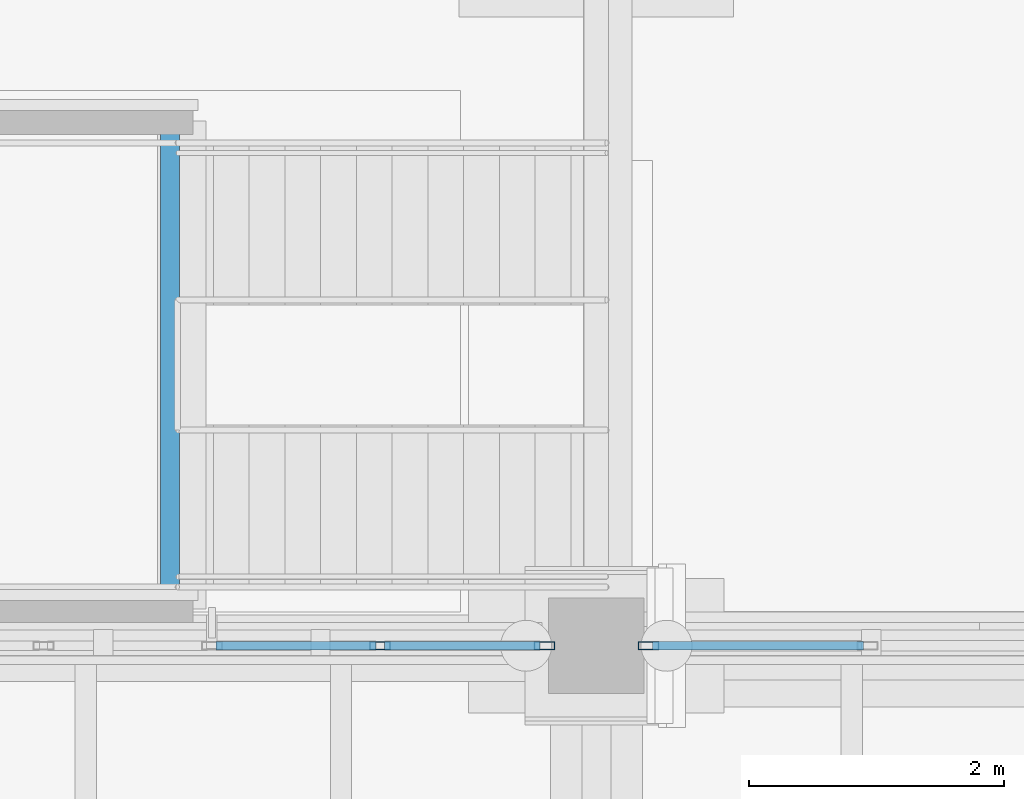
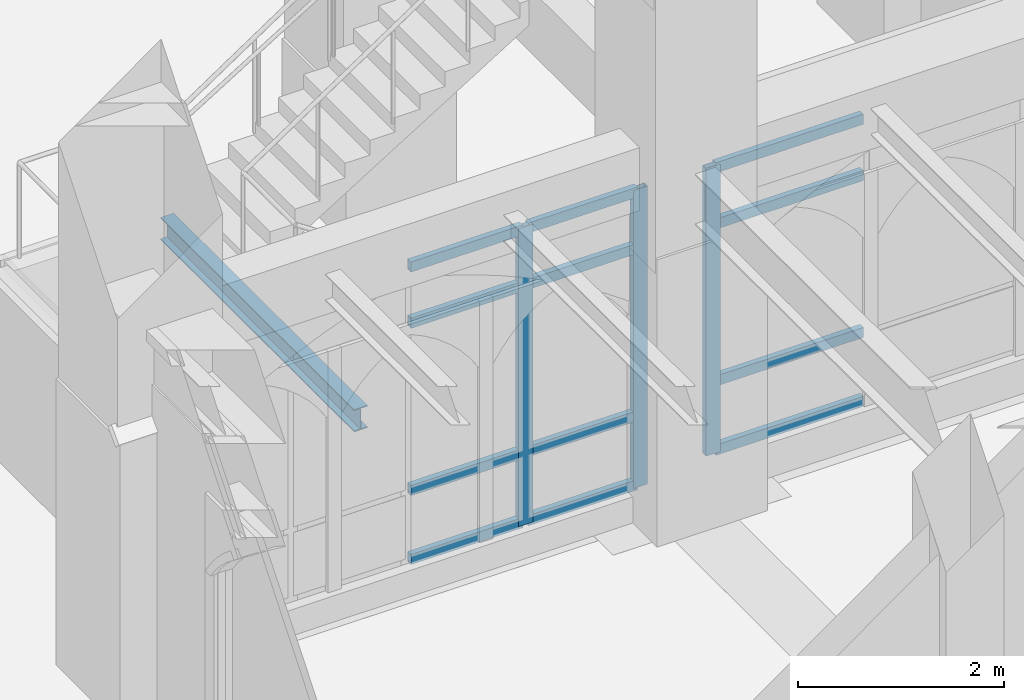
# One storey, part 42 of 135: 15 members, 1 beam, 2 elements without a shape of their own.
"""IFC4 building model written with IfcOpenShell, lengths in metres."""

from ifc_helpers import new_model, si_unit, direction, frame, origin, origin_2d, place, context, subcontext, project, spatial, hollow_rectangle, i_section, extrude, material, layer, layer_set, material_profile, profile_set, type_object, element, aggregate, save


model = new_model("IFC4")

# Units and contexts
model_context = context("Model", 3, precision=1e-05, world=origin(), true_north=direction((0.0, 1.0)))
body_context = subcontext(model_context, "Body", "Model", "MODEL_VIEW")
ifc_project = project(units=[si_unit("LENGTHUNIT", "METRE"), si_unit("AREAUNIT", "SQUARE_METRE"), si_unit("VOLUMEUNIT", "CUBIC_METRE"), si_unit("PLANEANGLEUNIT", "RADIAN"), si_unit("MASSUNIT", "GRAM", prefix="KILO")], contexts=[model_context])

# Site, building, storey
site_placement = place(None, origin())
site = spatial("IfcSite", under=ifc_project, at=site_placement, CompositionType="ELEMENT")
building_placement = place(site_placement, origin())
building = spatial("IfcBuilding", under=site, at=building_placement, Name="Cumevento Cable Car Station", CompositionType="ELEMENT")
storey_placement = place(building_placement, origin())
storey = spatial("IfcBuildingStorey", under=building, at=storey_placement, Name="L01", CompositionType="ELEMENT", Elevation=0.0)

# Curtain wall, members
ifc_material_1 = material(Name="Anodised Bronze Aluminium AW-6063-T6", Category="aluminium")
ifc_layer_1 = layer(ifc_material_1, 0.22607421875)
ifc_layer_set_1 = layer_set([ifc_layer_1], Name="Anodised Bronze Aluminium AW-6063-T6")
curtain_wall_type_1 = type_object("IfcCurtainWallType", Name="Lancet Curtain Wall CW-12 1490", PredefinedType="NOTDEFINED", material=ifc_layer_set_1)
curtain_wall_1_placement = place(storey_placement, origin())
curtain_wall_1 = element("IfcCurtainWall", 1, at=curtain_wall_1_placement, inside=storey, type_object=curtain_wall_type_1, Name="Lancet Curtain Wall CW-12 L01 #11", PredefinedType="NOTDEFINED")
ifc_material_2 = material(Name="Anodised Bronze Aluminium AW-6063-T6", Category="aluminium")
ifc_material_profile_1 = material_profile(ifc_material_2, hollow_rectangle(XDim=0.06494140625, YDim=0.159912109375, WallThickness=0.00390625, at=origin_2d()), Name="ALUM65x160x4")
ifc_profile_set_1 = profile_set([ifc_material_profile_1], Name="Anodised Bronze Aluminium AW-6063-T6")
member_type_1 = type_object("IfcMemberType", Name="Curtain Mullion CWM-01 ALUM65x160x4", PredefinedType="MULLION", material=ifc_profile_set_1)
member_1_placement = place(storey_placement, frame((110.30615234375, 15.0, 0.31005859375), z_axis=(0.0, 0.0, 1.0), x_axis=(0.0, 1.0, 0.0)))
member_1 = element("IfcMember", 2, at=member_1_placement, type_object=member_type_1, Name="CW-12 mullion 4", PredefinedType="MULLION", context=body_context, shape_type="SweptSolid", body=[
    extrude(hollow_rectangle(XDim=0.06494140625, YDim=0.159912109375, WallThickness=0.00390625, at=origin_2d()), origin(), (0.0, 0.0, 1.0), 3.532958984375),
])
member_2_placement = place(storey_placement, frame((111.592529296875, 15.0, 0.31005859375), z_axis=(0.0, 0.0, 1.0), x_axis=(0.0, 1.0, 0.0)))
member_2 = element("IfcMember", 3, at=member_2_placement, type_object=member_type_1, Name="CW-12 mullion 5", PredefinedType="MULLION", context=body_context, shape_type="SweptSolid", body=[
    extrude(hollow_rectangle(XDim=0.06494140625, YDim=0.159912109375, WallThickness=0.00390625, at=origin_2d()), origin(), (0.0, 0.0, 1.0), 3.532958984375),
])

# Curtain wall, member
ifc_material_3 = material(Name="Anodised Bronze Aluminium AW-6063-T6", Category="aluminium")
ifc_layer_2 = layer(ifc_material_3, 0.238037109375)
ifc_layer_set_2 = layer_set([ifc_layer_2], Name="Anodised Bronze Aluminium AW-6063-T6")
curtain_wall_type_2 = type_object("IfcCurtainWallType", Name="Lancet Curtain Wall CW-14 1570", PredefinedType="NOTDEFINED", material=ifc_layer_set_2)
curtain_wall_2_placement = place(storey_placement, origin())
curtain_wall_2 = element("IfcCurtainWall", 4, at=curtain_wall_2_placement, inside=storey, type_object=curtain_wall_type_2, Name="Lancet Curtain Wall CW-14 L01 #13", PredefinedType="NOTDEFINED")
member_3_placement = place(storey_placement, frame((112.407470703125, 15.0, 0.409912109375), z_axis=(0.0, 0.0, 1.0), x_axis=(0.0, 1.0, 0.0)))
member_3 = element("IfcMember", 5, at=member_3_placement, type_object=member_type_1, Name="CW-14 mullion 1", PredefinedType="MULLION", context=body_context, shape_type="SweptSolid", body=[
    extrude(hollow_rectangle(XDim=0.06494140625, YDim=0.159912109375, WallThickness=0.00390625, at=origin_2d()), origin(), (0.0, 0.0, 1.0), 3.4111328125),
])

# Member
ifc_material_4 = material(Name="Anodised Bronze Aluminium AW-6063-T6", Category="aluminium")
ifc_material_profile_2 = material_profile(ifc_material_4, hollow_rectangle(XDim=0.06494140625, YDim=0.1201171875, WallThickness=0.00390625, at=origin_2d()), Name="ALUT65x120x4")
ifc_profile_set_2 = profile_set([ifc_material_profile_2], Name="Anodised Bronze Aluminium AW-6063-T6")
member_type_2 = type_object("IfcMemberType", Name="Curtain Transom CWT-01 ALUT65x120x4", PredefinedType="USERDEFINED", material=ifc_profile_set_2)
member_4_placement = place(storey_placement, frame((109.02001953125, 15.0, 0.342529296875), z_axis=(1.0, 0.0, 0.0), x_axis=(0.0, 1.0, 0.0)))
member_4 = element("IfcMember", 6, at=member_4_placement, type_object=member_type_2, Name="CW-12 transom 3.1", ObjectType="TRANSOM", PredefinedType="USERDEFINED", context=body_context, shape_type="SweptSolid", body=[
    extrude(hollow_rectangle(XDim=0.06494140625, YDim=0.1201171875, WallThickness=0.00390625, at=origin_2d()), origin(), (0.0, 0.0, 1.0), 1.253662109375),
])

member_5_placement = place(storey_placement, frame((109.02001953125, 15.0, 1.159912109375), z_axis=(1.0, 0.0, 0.0), x_axis=(0.0, 1.0, 0.0)))
member_5 = element("IfcMember", 7, at=member_5_placement, type_object=member_type_2, Name="CW-12 transom 3.2", ObjectType="TRANSOM", PredefinedType="USERDEFINED", context=body_context, shape_type="SweptSolid", body=[
    extrude(hollow_rectangle(XDim=0.06494140625, YDim=0.1201171875, WallThickness=0.00390625, at=origin_2d()), origin(), (0.0, 0.0, 1.0), 1.253662109375),
])

member_6_placement = place(storey_placement, frame((109.02001953125, 15.0, 3.14306640625), z_axis=(1.0, 0.0, 0.0), x_axis=(0.0, 1.0, 0.0)))
member_6 = element("IfcMember", 8, at=member_6_placement, type_object=member_type_2, Name="CW-12 transom 3.3", ObjectType="TRANSOM", PredefinedType="USERDEFINED", context=body_context, shape_type="SweptSolid", body=[
    extrude(hollow_rectangle(XDim=0.06494140625, YDim=0.1201171875, WallThickness=0.00390625, at=origin_2d()), origin(), (0.0, 0.0, 1.0), 1.253662109375),
])

member_7_placement = place(storey_placement, frame((109.02001953125, 15.0, 3.810546875), z_axis=(1.0, 0.0, 0.0), x_axis=(0.0, 1.0, 0.0)))
member_7 = element("IfcMember", 9, at=member_7_placement, type_object=member_type_2, Name="CW-12 transom 3.4", ObjectType="TRANSOM", PredefinedType="USERDEFINED", context=body_context, shape_type="SweptSolid", body=[
    extrude(hollow_rectangle(XDim=0.06494140625, YDim=0.1201171875, WallThickness=0.00390625, at=origin_2d()), origin(), (0.0, 0.0, 1.0), 1.253662109375),
])

member_8_placement = place(storey_placement, frame((110.3388671875, 15.0, 0.342529296875), z_axis=(1.0, 0.0, 0.0), x_axis=(0.0, 1.0, 0.0)))
member_8 = element("IfcMember", 10, at=member_8_placement, type_object=member_type_2, Name="CW-12 transom 4.1", ObjectType="TRANSOM", PredefinedType="USERDEFINED", context=body_context, shape_type="SweptSolid", body=[
    extrude(hollow_rectangle(XDim=0.06494140625, YDim=0.1201171875, WallThickness=0.00390625, at=origin_2d()), origin(), (0.0, 0.0, 1.0), 1.22119140625),
])

member_9_placement = place(storey_placement, frame((110.3388671875, 15.0, 1.159912109375), z_axis=(1.0, 0.0, 0.0), x_axis=(0.0, 1.0, 0.0)))
member_9 = element("IfcMember", 11, at=member_9_placement, type_object=member_type_2, Name="CW-12 transom 4.2", ObjectType="TRANSOM", PredefinedType="USERDEFINED", context=body_context, shape_type="SweptSolid", body=[
    extrude(hollow_rectangle(XDim=0.06494140625, YDim=0.1201171875, WallThickness=0.00390625, at=origin_2d()), origin(), (0.0, 0.0, 1.0), 1.22119140625),
])

member_10_placement = place(storey_placement, frame((110.3388671875, 15.0, 3.14306640625), z_axis=(1.0, 0.0, 0.0), x_axis=(0.0, 1.0, 0.0)))
member_10 = element("IfcMember", 12, at=member_10_placement, type_object=member_type_2, Name="CW-12 transom 4.3", ObjectType="TRANSOM", PredefinedType="USERDEFINED", context=body_context, shape_type="SweptSolid", body=[
    extrude(hollow_rectangle(XDim=0.06494140625, YDim=0.1201171875, WallThickness=0.00390625, at=origin_2d()), origin(), (0.0, 0.0, 1.0), 1.22119140625),
])

member_11_placement = place(storey_placement, frame((110.3388671875, 15.0, 3.810546875), z_axis=(1.0, 0.0, 0.0), x_axis=(0.0, 1.0, 0.0)))
member_11 = element("IfcMember", 13, at=member_11_placement, type_object=member_type_2, Name="CW-12 transom 4.4", ObjectType="TRANSOM", PredefinedType="USERDEFINED", context=body_context, shape_type="SweptSolid", body=[
    extrude(hollow_rectangle(XDim=0.06494140625, YDim=0.1201171875, WallThickness=0.00390625, at=origin_2d()), origin(), (0.0, 0.0, 1.0), 1.22119140625),
])

aggregate(curtain_wall_1, [member_1, member_2, member_4, member_5, member_6, member_7, member_8, member_9, member_10, member_11])

member_12_placement = place(storey_placement, frame((112.43994140625, 15.0, 0.4423828125), z_axis=(1.0, 0.0, 0.0), x_axis=(0.0, 1.0, 0.0)))
member_12 = element("IfcMember", 14, at=member_12_placement, type_object=member_type_2, Name="CW-14 transom 1.1", ObjectType="TRANSOM", PredefinedType="USERDEFINED", context=body_context, shape_type="SweptSolid", body=[
    extrude(hollow_rectangle(XDim=0.06494140625, YDim=0.1201171875, WallThickness=0.00390625, at=origin_2d()), origin(), (0.0, 0.0, 1.0), 1.652587890625),
])

member_13_placement = place(storey_placement, frame((112.43994140625, 15.0, 1.260009765625), z_axis=(1.0, 0.0, 0.0), x_axis=(0.0, 1.0, 0.0)))
member_13 = element("IfcMember", 15, at=member_13_placement, type_object=member_type_2, Name="CW-14 transom 1.2", ObjectType="TRANSOM", PredefinedType="USERDEFINED", context=body_context, shape_type="SweptSolid", body=[
    extrude(hollow_rectangle(XDim=0.06494140625, YDim=0.1201171875, WallThickness=0.00390625, at=origin_2d()), origin(), (0.0, 0.0, 1.0), 1.652587890625),
])

member_14_placement = place(storey_placement, frame((112.43994140625, 15.0, 3.12109375), z_axis=(1.0, 0.0, 0.0), x_axis=(0.0, 1.0, 0.0)))
member_14 = element("IfcMember", 16, at=member_14_placement, type_object=member_type_2, Name="CW-14 transom 1.3", ObjectType="TRANSOM", PredefinedType="USERDEFINED", context=body_context, shape_type="SweptSolid", body=[
    extrude(hollow_rectangle(XDim=0.06494140625, YDim=0.1201171875, WallThickness=0.00390625, at=origin_2d()), origin(), (0.0, 0.0, 1.0), 1.652587890625),
])

member_15_placement = place(storey_placement, frame((112.43994140625, 15.0, 3.78857421875), z_axis=(1.0, 0.0, 0.0), x_axis=(0.0, 1.0, 0.0)))
member_15 = element("IfcMember", 17, at=member_15_placement, type_object=member_type_2, Name="CW-14 transom 1.4", ObjectType="TRANSOM", PredefinedType="USERDEFINED", context=body_context, shape_type="SweptSolid", body=[
    extrude(hollow_rectangle(XDim=0.06494140625, YDim=0.1201171875, WallThickness=0.00390625, at=origin_2d()), origin(), (0.0, 0.0, 1.0), 1.652587890625),
])

aggregate(curtain_wall_2, [member_3, member_12, member_13, member_14, member_15])

# Beam
ifc_material_5 = material(Name="Steel ASTM A572 Grade 50", Category="steel")
ifc_material_profile_3 = material_profile(ifc_material_5, i_section(OverallWidth=0.14794921875, OverallDepth=0.26611328125, WebThickness=0.007568359375, FlangeThickness=0.012939453125, at=origin_2d()), Name="W250x44.8")
ifc_profile_set_3 = profile_set([ifc_material_profile_3], Name="Steel ASTM A572 Grade 50")
beam_type = type_object("IfcBeamType", Name="Structural Beam BM-07 W250x44.8", PredefinedType="BEAM", material=ifc_profile_set_3)
beam_placement = place(storey_placement, frame((108.659912109375, 15.320068359375, 1.926025390625), z_axis=(0.0, 1.0, 0.0), x_axis=(-1.0, 0.0, 0.0)))
element("IfcBeam", 18, at=beam_placement, inside=storey, type_object=beam_type, Name="Stair Half-Landing Trimmer ST-15", PredefinedType="BEAM", context=body_context, shape_type="SweptSolid", body=[
    extrude(i_section(OverallWidth=0.14794921875, OverallDepth=0.26611328125, WebThickness=0.007568359375, FlangeThickness=0.012939453125, at=origin_2d()), origin(), (0.0, 0.0, 1.0), 3.760009765625),
])

save(model, "model.ifc")
